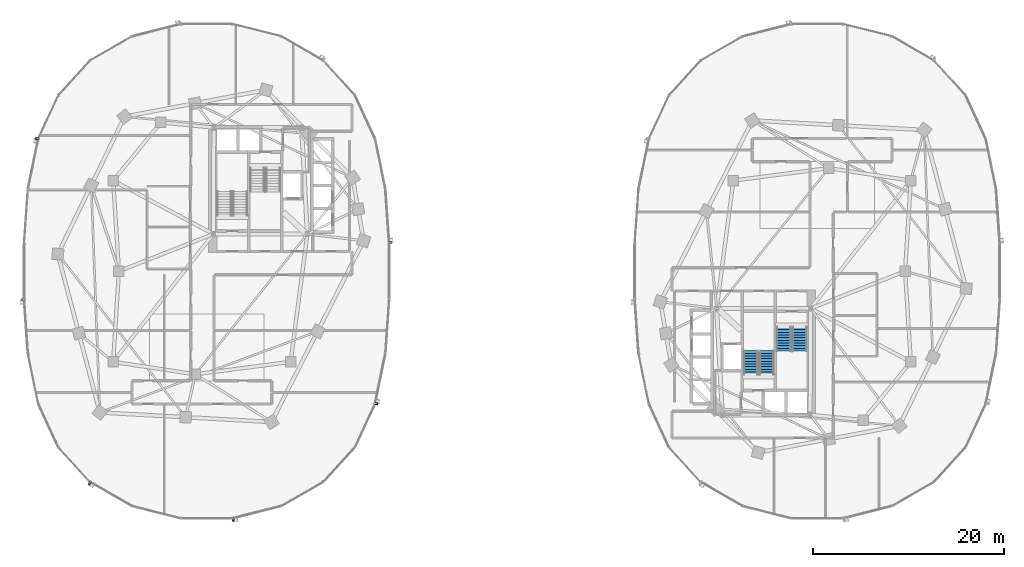
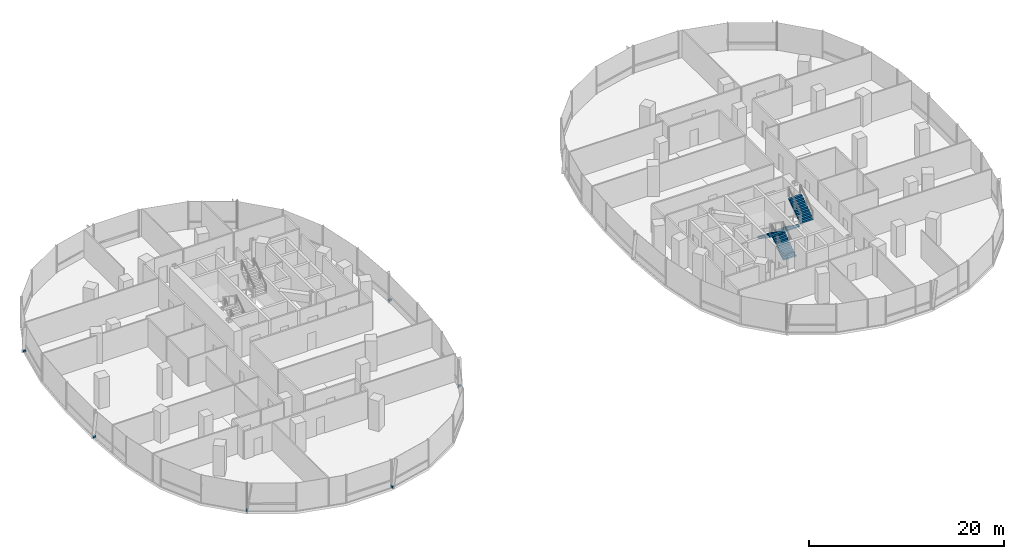
# One storey, part 15 of 22: 6 discrete accessories, 4 stair flights, 2 elements without a shape of their own.
"""IFC4 building model written with IfcOpenShell, lengths in metres."""

from ifc_helpers import new_model, si_unit, direction, frame, origin, origin_2d, place, context, subcontext, project, spatial, polyline, rectangle, outline, extrude, material, type_object, element, aggregate, save


model = new_model("IFC4")

# Units and contexts
model_context = context("Model", 3, precision=1e-05, world=origin(), true_north=direction((0.0, 1.0)))
body_context = subcontext(model_context, "Body", "Model", "MODEL_VIEW")
ifc_project = project(units=[si_unit("LENGTHUNIT", "METRE"), si_unit("AREAUNIT", "SQUARE_METRE"), si_unit("VOLUMEUNIT", "CUBIC_METRE"), si_unit("PLANEANGLEUNIT", "RADIAN"), si_unit("MASSUNIT", "GRAM", prefix="KILO"), si_unit("THERMODYNAMICTEMPERATUREUNIT", "KELVIN"), si_unit("POWERUNIT", "WATT")], contexts=[model_context])

# Site, building, storey
site_placement = place(None, origin())
site = spatial("IfcSite", under=ifc_project, at=site_placement, CompositionType="ELEMENT")
building_placement = place(site_placement, origin())
building = spatial("IfcBuilding", under=site, at=building_placement, Name="Cundina Bronze Exchange", CompositionType="ELEMENT")
storey_placement = place(building_placement, frame((0.0, 0.0, 35.39990234375)))
storey = spatial("IfcBuildingStorey", under=building, at=storey_placement, Name="L08", CompositionType="ELEMENT", Elevation=35.39990234375)

# Stair, stair flights
ifc_material_1 = material(Name="Concrete C40/50", Category="concrete")
stair_type = type_object("IfcStairType", Name="STR-TRD-380", PredefinedType="HALF_TURN_STAIR", material=ifc_material_1)
stair_1_placement = place(storey_placement, origin())
stair_1 = element("IfcStair", 1, at=stair_1_placement, inside=storey, type_object=stair_type, Name="L08 Smokeproof Exit Stair E1", PredefinedType="HALF_TURN_STAIR")
stair_flight_type = type_object("IfcStairFlightType", Name="FLG-TRD-190", PredefinedType="STRAIGHT", material=ifc_material_1)
stair_flight_1_placement = place(storey_placement, frame((28.489990234375, -5.85009765625, 0.0), z_axis=(0.0, 0.0, 1.0), x_axis=(0.0, -1.0, 0.0)))
stair_flight_1 = element("IfcStairFlight", 2, at=stair_flight_1_placement, type_object=stair_flight_type, Name="ST-E1 flight 1", NumberOfRisers=10, NumberOfTreads=9, PredefinedType="STRAIGHT", RiserHeight=0.19, TreadLength=0.28, context=body_context, shape_type="SweptSolid", body=[
    extrude(outline(polyline([(0.0, 0.0), (0.0, 0.18994140625), (0.280029296875, 0.18994140625), (0.280029296875, 0.3798828125), (0.56005859375, 0.3798828125), (0.56005859375, 0.570068359375), (0.840087890625, 0.570068359375), (0.840087890625, 0.760009765625), (1.1201171875, 0.760009765625), (1.1201171875, 0.949951171875), (1.39990234375, 0.949951171875), (1.39990234375, 1.139892578125), (1.679931640625, 1.139892578125), (1.679931640625, 1.330078125), (1.9599609375, 1.330078125), (1.9599609375, 1.52001953125), (2.239990234375, 1.52001953125), (2.239990234375, 1.7099609375), (2.52001953125, 1.7099609375), (2.52001953125, 1.89990234375), (2.52001953125, 1.52880859375), (0.266845703125, 0.0), (0.0, 0.0)])), frame((0.0, 0.75, 0.0), z_axis=(0.0, -1.0, 0.0), x_axis=(1.0, 0.0, 0.0)), (0.0, 0.0, 1.0), 1.5),
])
stair_flight_2_placement = place(storey_placement, frame((30.14990234375, -8.3701171875, 1.900146484375), z_axis=(0.0, 0.0, 1.0), x_axis=(0.0, 1.0, 0.0)))
stair_flight_2 = element("IfcStairFlight", 3, at=stair_flight_2_placement, type_object=stair_flight_type, Name="ST-E1 flight 2", NumberOfRisers=10, NumberOfTreads=9, PredefinedType="STRAIGHT", RiserHeight=0.19, TreadLength=0.28, context=body_context, shape_type="SweptSolid", body=[
    extrude(outline(polyline([(0.0, 0.0), (0.0, 0.18994140625), (0.280029296875, 0.18994140625), (0.280029296875, 0.3798828125), (0.56005859375, 0.3798828125), (0.56005859375, 0.570068359375), (0.840087890625, 0.570068359375), (0.840087890625, 0.760009765625), (1.1201171875, 0.760009765625), (1.1201171875, 0.949951171875), (1.39990234375, 0.949951171875), (1.39990234375, 1.139892578125), (1.679931640625, 1.139892578125), (1.679931640625, 1.330078125), (1.9599609375, 1.330078125), (1.9599609375, 1.52001953125), (2.239990234375, 1.52001953125), (2.239990234375, 1.7099609375), (2.52001953125, 1.7099609375), (2.52001953125, 1.89990234375), (2.52001953125, 1.52880859375), (0.266845703125, 0.0), (0.0, 0.0)])), frame((0.0, 0.75, 0.0), z_axis=(0.0, -1.0, 0.0), x_axis=(1.0, 0.0, 0.0)), (0.0, 0.0, 1.0), 1.5),
])
aggregate(stair_1, [stair_flight_1, stair_flight_2])

stair_2_placement = place(storey_placement, origin())
stair_2 = element("IfcStair", 4, at=stair_2_placement, inside=storey, type_object=stair_type, Name="L08 Smokeproof Exit Stair E2", PredefinedType="HALF_TURN_STAIR")
stair_flight_3_placement = place(storey_placement, frame((26.68994140625, -10.85009765625, 0.0), z_axis=(0.0, 0.0, 1.0), x_axis=(0.0, 1.0, 0.0)))
stair_flight_3 = element("IfcStairFlight", 5, at=stair_flight_3_placement, type_object=stair_flight_type, Name="ST-E2 flight 1", NumberOfRisers=10, NumberOfTreads=9, PredefinedType="STRAIGHT", RiserHeight=0.19, TreadLength=0.28, context=body_context, shape_type="SweptSolid", body=[
    extrude(outline(polyline([(0.0, 0.0), (0.0, 0.18994140625), (0.280029296875, 0.18994140625), (0.280029296875, 0.3798828125), (0.56005859375, 0.3798828125), (0.56005859375, 0.570068359375), (0.840087890625, 0.570068359375), (0.840087890625, 0.760009765625), (1.1201171875, 0.760009765625), (1.1201171875, 0.949951171875), (1.39990234375, 0.949951171875), (1.39990234375, 1.139892578125), (1.679931640625, 1.139892578125), (1.679931640625, 1.330078125), (1.9599609375, 1.330078125), (1.9599609375, 1.52001953125), (2.239990234375, 1.52001953125), (2.239990234375, 1.7099609375), (2.52001953125, 1.7099609375), (2.52001953125, 1.89990234375), (2.52001953125, 1.52880859375), (0.266845703125, 0.0), (0.0, 0.0)])), frame((0.0, 0.75, 0.0), z_axis=(0.0, -1.0, 0.0), x_axis=(1.0, 0.0, 0.0)), (0.0, 0.0, 1.0), 1.5),
])
stair_flight_4_placement = place(storey_placement, frame((25.030029296875, -8.330078125, 1.900146484375), z_axis=(0.0, 0.0, 1.0), x_axis=(0.0, -1.0, 0.0)))
stair_flight_4 = element("IfcStairFlight", 6, at=stair_flight_4_placement, type_object=stair_flight_type, Name="ST-E2 flight 2", NumberOfRisers=10, NumberOfTreads=9, PredefinedType="STRAIGHT", RiserHeight=0.19, TreadLength=0.28, context=body_context, shape_type="SweptSolid", body=[
    extrude(outline(polyline([(0.0, 0.0), (0.0, 0.18994140625), (0.280029296875, 0.18994140625), (0.280029296875, 0.3798828125), (0.56005859375, 0.3798828125), (0.56005859375, 0.570068359375), (0.840087890625, 0.570068359375), (0.840087890625, 0.760009765625), (1.1201171875, 0.760009765625), (1.1201171875, 0.949951171875), (1.39990234375, 0.949951171875), (1.39990234375, 1.139892578125), (1.679931640625, 1.139892578125), (1.679931640625, 1.330078125), (1.9599609375, 1.330078125), (1.9599609375, 1.52001953125), (2.239990234375, 1.52001953125), (2.239990234375, 1.7099609375), (2.52001953125, 1.7099609375), (2.52001953125, 1.89990234375), (2.52001953125, 1.52880859375), (0.266845703125, 0.0), (0.0, 0.0)])), frame((0.0, 0.75, 0.0), z_axis=(0.0, -1.0, 0.0), x_axis=(1.0, 0.0, 0.0)), (0.0, 0.0, 1.0), 1.5),
])
aggregate(stair_2, [stair_flight_3, stair_flight_4])

# Discrete accessories
ifc_material_2 = material(Name="Anodised Bronze Aluminium 6063-T6", Category="aluminium")
discrete_accessory_type = type_object("IfcDiscreteAccessoryType", Name="ACC-BRK-FIN", PredefinedType="BRACKET", material=ifc_material_2)
for number, where, z_axis, x_axis, name in (
    (7, (-12.735595703125, 2.986083984375, 0.10009765625), (0.0, 0.0, 1.0), (-0.070278787473, 0.997527389113, 0.0), "L08 Fin Support Bracket 1"),
    (8, (-49.788330078125, 13.8896484375, 0.10009765625), (0.0, 0.0, 1.0), (-0.201419845156, -0.979505000486, 0.0), "L08 Fin Support Bracket 5"),
    (9, (-51.264404296875, -2.986083984375, 0.10009765625), (0.0, 0.0, 1.0), (0.070278787473, -0.997527389113, 0.0), "L08 Fin Support Bracket 1"),
    (10, (-44.259521484375, -22.21875, 0.10009765625), (0.0, 0.0, 1.0), (0.867105478933, -0.498124571171, 0.0), "L08 Fin Support Bracket 5"),
    (11, (-29.23974609375, -26.03173828125, 0.10009765625), (0.0, 0.0, 1.0), (0.969488149345, 0.245138182011, 0.0), "L08 Fin Support Bracket 1"),
    (12, (-14.211669921875, -13.8896484375, 0.10009765625), (0.0, 0.0, 1.0), (0.201419845156, 0.979505000486, 0.0), "L08 Fin Support Bracket 5"),
):
    element("IfcDiscreteAccessory", number, at=place(storey_placement, frame(where, z_axis=z_axis, x_axis=x_axis)), inside=storey, type_object=discrete_accessory_type, Name=name, PredefinedType="BRACKET", context=body_context, shape_type="SweptSolid", body=[
        extrude(rectangle(XDim=0.219970703125, YDim=0.320068359375, at=origin_2d()), origin(), (0.0, 0.0, 1.0), 0.239990234375),
    ])

save(model, "model.ifc")
